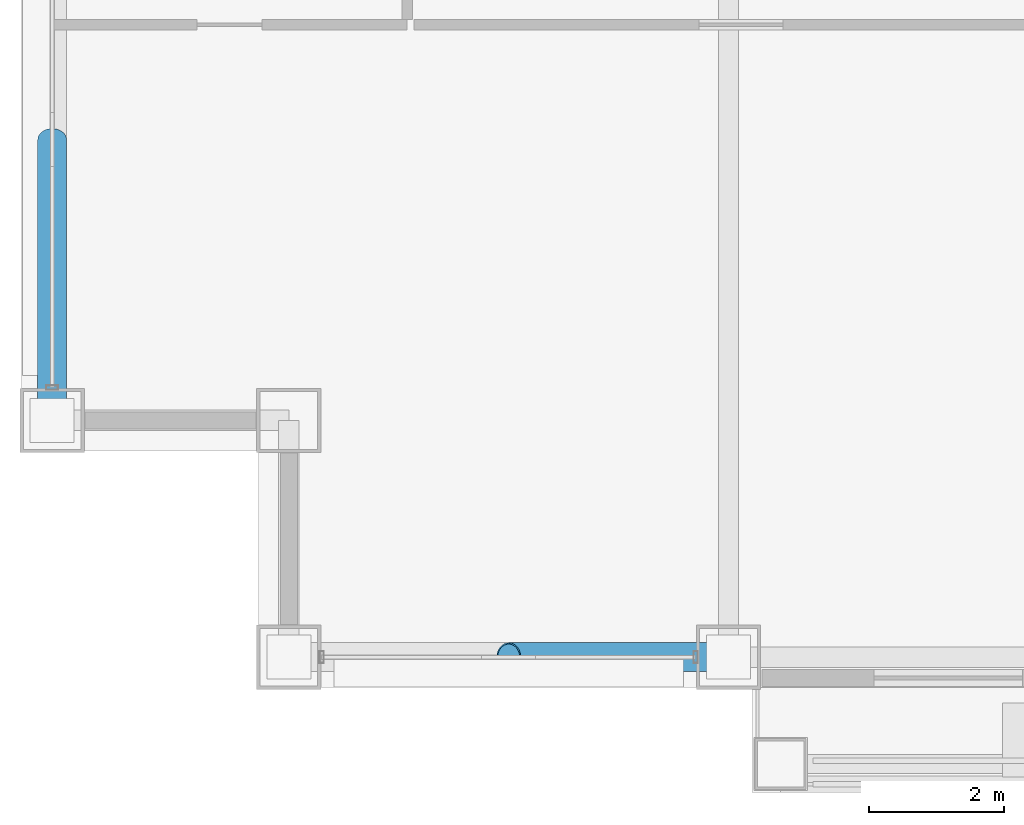
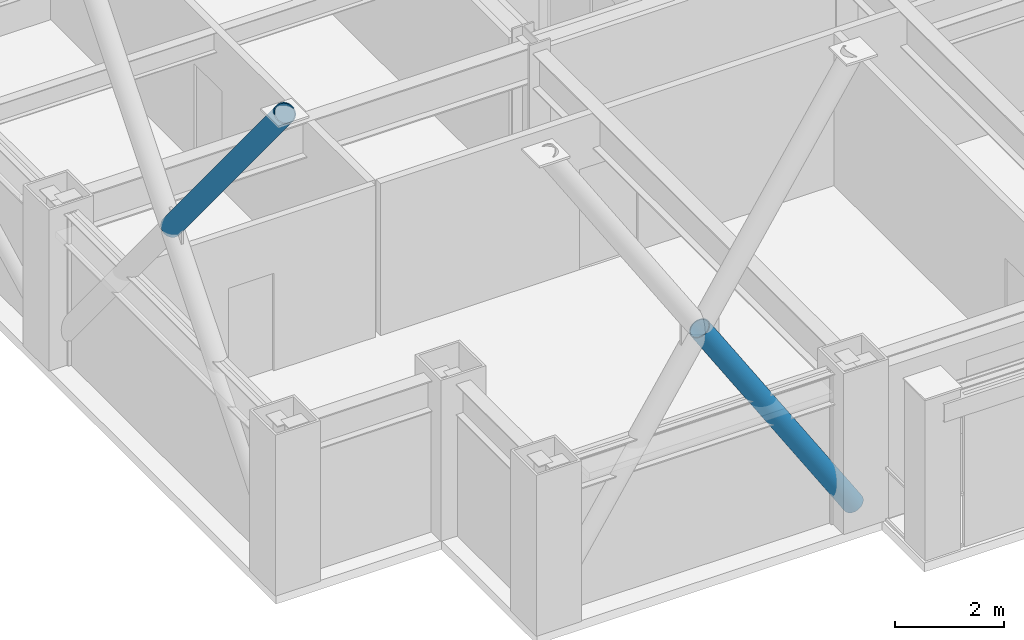
# One storey, part 3 of 34: 2 members.
"""IFC4 building model written with IfcOpenShell, lengths in metres."""

from ifc_helpers import new_model, si_unit, direction, frame, origin, origin_2d, place, context, subcontext, project, spatial, hollow_circle, extrude, material, material_profile, profile_set, type_object, element, save


model = new_model("IFC4")

# Units and contexts
model_context = context("Model", 3, precision=1e-05, world=origin(), true_north=direction((0.0, 1.0)))
body_context = subcontext(model_context, "Body", "Model", "MODEL_VIEW")
ifc_project = project(units=[si_unit("LENGTHUNIT", "METRE"), si_unit("AREAUNIT", "SQUARE_METRE"), si_unit("VOLUMEUNIT", "CUBIC_METRE"), si_unit("PLANEANGLEUNIT", "RADIAN"), si_unit("MASSUNIT", "GRAM", prefix="KILO")], contexts=[model_context])

# Site, building, storey
site_placement = place(None, origin())
site = spatial("IfcSite", under=ifc_project, at=site_placement, CompositionType="ELEMENT")
building_placement = place(site_placement, origin())
building = spatial("IfcBuilding", under=site, at=building_placement, Name="Brelmoor Portico Tower", CompositionType="ELEMENT")
storey_placement = place(building_placement, frame((0.0, 0.0, 45.60009765625)))
storey = spatial("IfcBuildingStorey", under=building, at=storey_placement, Name="L11", CompositionType="ELEMENT", Elevation=45.60009765625)

# Members
ifc_material = material(Name="Steel Q355B", Category="steel")
ifc_material_profile = material_profile(ifc_material, hollow_circle(Radius=0.212890625, WallThickness=0.02001953125, at=origin_2d()), Name="CHS 426x20")
ifc_profile_set = profile_set([ifc_material_profile], Name="Steel Q355B")
member_type = type_object("IfcMemberType", Name="MB-BELT-DIAG1", PredefinedType="BRACE", material=ifc_profile_set)
member_1_placement = place(storey_placement, frame((-14.550048828125, -21.550048828125, 0.25), z_axis=(-0.541193124039, 0.0, 0.840898330651), x_axis=(0.0, -1.0, 0.0)))
element("IfcMember", 1, at=member_1_placement, inside=storey, type_object=member_type, Name="L11 Split Mega-X Brace 017B1", PredefinedType="BRACE", context=body_context, shape_type="SweptSolid", body=[
    extrude(hollow_circle(Radius=0.212890625, WallThickness=0.02001953125, at=origin_2d()), origin(), (0.0, 0.0, 1.0), 6.00537109375),
])
member_2_placement = place(storey_placement, frame((-24.550048828125, -13.89990234375, 5.2998046875), z_axis=(0.0, -0.634912247128, 0.772584259771), x_axis=(1.0, 0.0, 0.0)))
element("IfcMember", 2, at=member_2_placement, inside=storey, type_object=member_type, Name="L11 Split Mega-X Brace 021B2", PredefinedType="BRACE", context=body_context, shape_type="SweptSolid", body=[
    extrude(hollow_circle(Radius=0.212890625, WallThickness=0.02001953125, at=origin_2d()), origin(), (0.0, 0.0, 1.0), 6.53662109375),
])

save(model, "model.ifc")
